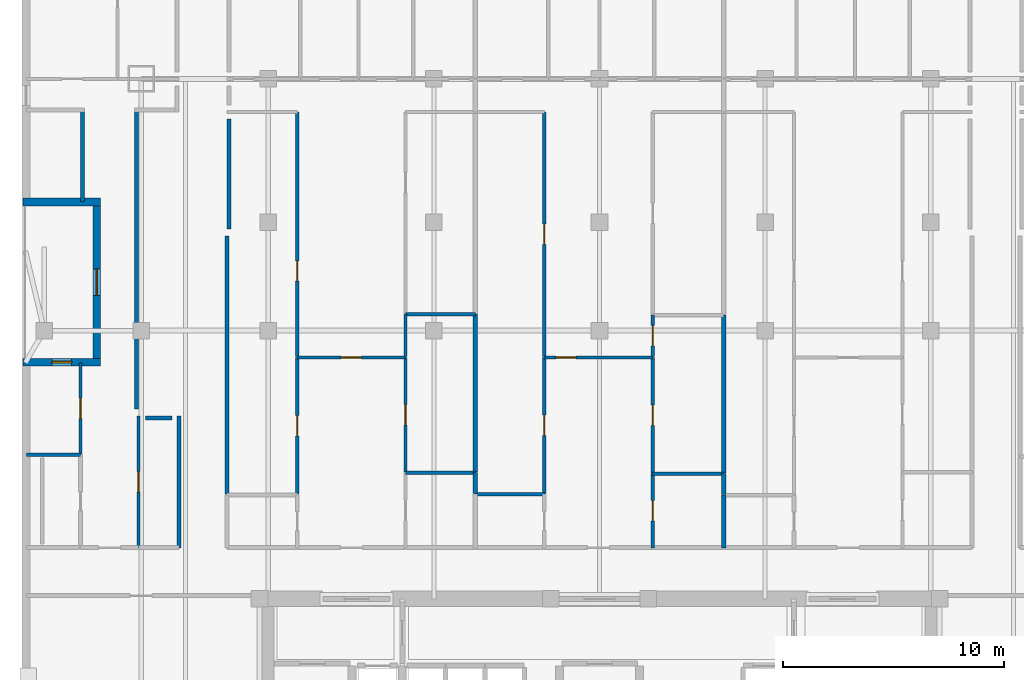
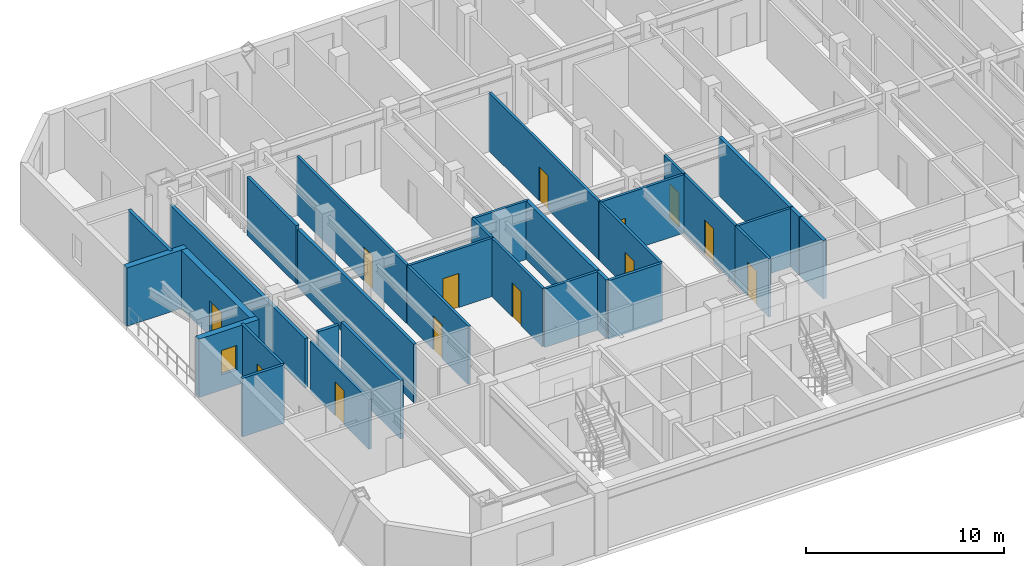
# One storey, part 4 of 11: 32 walls, 13 doors, 1 window, 14 openings.
"""IFC4 building model written with IfcOpenShell, lengths in metres."""

from ifc_helpers import new_model, si_unit, direction, frame, frame_2d, origin, place, context, subcontext, project, spatial, rectangle, extrude, material, layer, layer_set, type_object, element, fill, save


model = new_model("IFC4")

# Units and contexts
model_context = context("Model", 3, precision=1e-05, world=origin(), true_north=direction((0.0, 1.0)))
body_context = subcontext(model_context, "Body", "Model", "MODEL_VIEW")
ifc_project = project(units=[si_unit("LENGTHUNIT", "METRE"), si_unit("AREAUNIT", "SQUARE_METRE"), si_unit("VOLUMEUNIT", "CUBIC_METRE"), si_unit("PLANEANGLEUNIT", "RADIAN"), si_unit("MASSUNIT", "GRAM", prefix="KILO")], contexts=[model_context])

# Site, building, storey
site_placement = place(None, origin())
site = spatial("IfcSite", under=ifc_project, at=site_placement, CompositionType="ELEMENT")
building_placement = place(site_placement, origin())
building = spatial("IfcBuilding", under=site, at=building_placement, Name="Ventersveld Concourse Tower", CompositionType="ELEMENT")
storey_placement = place(building_placement, frame((0.0, 0.0, 111.85009765625)))
storey = spatial("IfcBuildingStorey", under=building, at=storey_placement, Name="L27", CompositionType="ELEMENT", Elevation=111.85009765625)

# Walls
ifc_material_1 = material(Name="Fire-rated autoclaved aerated masonry blockwork", Category="masonry")
ifc_layer_1 = layer(ifc_material_1, 0.179931640625)
ifc_layer_set_1 = layer_set([ifc_layer_1], Name="Fire-rated autoclaved aerated masonry blockwork")
wall_type_1 = type_object("IfcWallType", Name="WL-CORR-180", PredefinedType="PARTITIONING", material=ifc_layer_set_1)
wall_1_placement = place(storey_placement, frame((9.7099609375, 13.764892578125, 0.0), z_axis=(0.0, 0.0, 1.0), x_axis=(0.0, 1.0, 0.0)))
element("IfcWall", 1, at=wall_1_placement, inside=storey, type_object=wall_type_1, Name="L27 Interior Partition SP-L27-COR-SP-L27-27NW-KIT", PredefinedType="PARTITIONING", context=body_context, shape_type="SweptSolid", body=[
    extrude(rectangle(XDim=5.974365234375, YDim=0.179931640625, at=frame_2d((2.9873046875, 0.0))), origin(), (0.0, 0.0, 1.0), 3.599853515625),
])
wall_2_placement = place(storey_placement, frame((11.889892578125, 16.1953125, 0.0), z_axis=(0.0, 0.0, 1.0), x_axis=(0.0, 1.0, 0.0)))
element("IfcWall", 2, at=wall_2_placement, inside=storey, type_object=wall_type_1, Name="L27 Interior Partition SP-L27-COR-SP-L27-27N1-OFFL0", PredefinedType="PARTITIONING", context=body_context, shape_type="SweptSolid", body=[
    extrude(rectangle(XDim=11.69970703125, YDim=0.179931640625, at=frame_2d((5.849853515625, 0.0))), origin(), (0.0, 0.0, 1.0), 3.599853515625),
])
wall_3_placement = place(storey_placement, frame((5.334228515625, 29.4599609375, 0.0), z_axis=(0.0, 0.0, 1.0), x_axis=(0.0, 1.0, 0.0)))
element("IfcWall", 3, at=wall_3_placement, inside=storey, type_object=wall_type_1, Name="L27 Room Enclosure Wall SP-L27-27NW-LIV", PredefinedType="PARTITIONING", context=body_context, shape_type="SweptSolid", body=[
    extrude(rectangle(XDim=4.22509765625, YDim=0.179931640625, at=frame_2d((2.112548828125, 0.0))), origin(), (0.0, 0.0, 1.0), 3.599853515625),
])
wall_4_placement = place(storey_placement, frame((7.7802734375, 33.68505859375, 0.0), z_axis=(0.0, 0.0, 1.0), x_axis=(0.0, -1.0, 0.0)))
element("IfcWall", 4, at=wall_4_placement, inside=storey, type_object=wall_type_1, Name="L27 Room Enclosure Wall SP-L27-27NW-LIV", PredefinedType="PARTITIONING", context=body_context, shape_type="SweptSolid", body=[
    extrude(rectangle(XDim=13.630859375, YDim=0.179931640625, at=frame_2d((6.8154296875, 0.0))), origin(), (0.0, 0.0, 1.0), 3.055419921875),
])
wall_5_placement = place(storey_placement, frame((8.1953125, 19.644287109375, 0.0), z_axis=(0.0, 0.0, 1.0), x_axis=(1.0, 0.0, 0.0)))
element("IfcWall", 5, at=wall_5_placement, inside=storey, type_object=wall_type_1, Name="L27 Room Enclosure Wall SP-L27-27NW-KIT", PredefinedType="PARTITIONING", context=body_context, shape_type="SweptSolid", body=[
    extrude(rectangle(XDim=1.189697265625, YDim=0.179931640625, at=frame_2d((0.5947265625, 0.0))), origin(), (0.0, 0.0, 1.0), 3.599853515625),
])
wall_6_placement = place(storey_placement, frame((11.97998046875, 28.2099609375, 0.0), z_axis=(0.0, 0.0, 1.0), x_axis=(0.0, 1.0, 0.0)))
element("IfcWall", 6, at=wall_6_placement, inside=storey, type_object=wall_type_1, Name="L27 Room Enclosure Wall SP-L27-27N1-OFFL0", PredefinedType="PARTITIONING", context=body_context, shape_type="SweptSolid", body=[
    extrude(rectangle(XDim=4.965087890625, YDim=0.179931640625, at=frame_2d((2.482421875, 0.0))), origin(), (0.0, 0.0, 1.0), 3.599853515625),
])
ifc_layer_2 = layer(ifc_material_1, 0.199951171875)
ifc_layer_set_2 = layer_set([ifc_layer_2], Name="Fire-rated autoclaved aerated masonry blockwork")
wall_type_2 = type_object("IfcWallType", Name="WL-DEMISE-200", PredefinedType="PARTITIONING", material=ifc_layer_set_2)
wall_7_placement = place(storey_placement, frame((23.1298828125, 16.229736328125, 0.0), z_axis=(0.0, 0.0, 1.0), x_axis=(0.0, 1.0, 0.0)))
element("IfcWall", 7, at=wall_7_placement, inside=storey, type_object=wall_type_2, Name="L27 Interior Partition SP-L27-27N1-KIT-SP-L27-27N2-MEDL0", PredefinedType="PARTITIONING", context=body_context, shape_type="SweptSolid", body=[
    extrude(rectangle(XDim=0.940185546875, YDim=0.199951171875, at=frame_2d((0.47021484375, 0.0))), origin(), (0.0, 0.0, 1.0), 3.599853515625),
])
wall_8_placement = place(storey_placement, frame((23.1298828125, 17.19970703125, 0.0), z_axis=(0.0, 0.0, 1.0), x_axis=(0.0, 1.0, 0.0)))
element("IfcWall", 8, at=wall_8_placement, inside=storey, type_object=wall_type_2, Name="L27 Interior Partition SP-L27-27N1-DENR-SP-L27-27N2-MEDL0", PredefinedType="PARTITIONING", context=body_context, shape_type="SweptSolid", body=[
    extrude(rectangle(XDim=7.1552734375, YDim=0.199951171875, at=frame_2d((3.57763671875, 0.0))), origin(), (0.0, 0.0, 1.0), 3.599853515625),
])
wall_9_placement = place(storey_placement, frame((34.3701171875, 13.764892578125, 0.0), z_axis=(0.0, 0.0, 1.0), x_axis=(0.0, 1.0, 0.0)))
element("IfcWall", 9, at=wall_9_placement, inside=storey, type_object=wall_type_2, Name="L27 Interior Partition SP-L27-27N2-KIT-SP-L27-27N3-BATH", PredefinedType="PARTITIONING", context=body_context, shape_type="SweptSolid", body=[
    extrude(rectangle(XDim=2.38330078125, YDim=0.199951171875, at=frame_2d((1.191650390625, 0.0))), origin(), (0.0, 0.0, 1.0), 3.599853515625),
])
wall_10_placement = place(storey_placement, frame((34.3701171875, 16.17822265625, 0.0), z_axis=(0.0, 0.0, 1.0), x_axis=(0.0, 1.0, 0.0)))
element("IfcWall", 10, at=wall_10_placement, inside=storey, type_object=wall_type_2, Name="L27 Interior Partition SP-L27-27N2-KIT-SP-L27-27N3-DENL", PredefinedType="PARTITIONING", context=body_context, shape_type="SweptSolid", body=[
    extrude(rectangle(XDim=0.94287109375, YDim=0.199951171875, at=frame_2d((0.471435546875, 0.0))), origin(), (0.0, 0.0, 1.0), 3.599853515625),
])
wall_11_placement = place(storey_placement, frame((34.3701171875, 17.15087890625, 0.0), z_axis=(0.0, 0.0, 1.0), x_axis=(0.0, 1.0, 0.0)))
element("IfcWall", 11, at=wall_11_placement, inside=storey, type_object=wall_type_2, Name="L27 Interior Partition SP-L27-27N2-DENR-SP-L27-27N3-DENL", PredefinedType="PARTITIONING", context=body_context, shape_type="SweptSolid", body=[
    extrude(rectangle(XDim=7.1552734375, YDim=0.199951171875, at=frame_2d((3.57763671875, 0.0))), origin(), (0.0, 0.0, 1.0), 3.599853515625),
])

# Wall, opening, door
ifc_material_2 = material(Name="Autoclaved aerated masonry blockwork", Category="masonry")
ifc_layer_3 = layer(ifc_material_2, 0.14990234375)
ifc_layer_set_3 = layer_set([ifc_layer_3], Name="Autoclaved aerated masonry blockwork")
wall_type_3 = type_object("IfcWallType", Name="WL-INT-150", PredefinedType="PARTITIONING", material=ifc_layer_set_3)
wall_12_placement = place(storey_placement, frame((5.244384765625, 18.0234375, 0.0), z_axis=(0.0, 0.0, 1.0), x_axis=(0.0, 1.0, 0.0)))
wall_12 = element("IfcWall", 12, at=wall_12_placement, inside=storey, type_object=wall_type_3, Name="L27 Interior Partition SP-L27-27NW-LIV-SP-L27-27NW-OFFL0", PredefinedType="PARTITIONING", context=body_context, shape_type="SweptSolid", body=[
    extrude(rectangle(XDim=4.116455078125, YDim=0.14990234375, at=frame_2d((2.05810546875, 0.0))), origin(), (0.0, 0.0, 1.0), 3.599853515625),
])
opening_1_placement = place(wall_12_placement, frame((1.598388671875, 0.0, 0.0)))
opening_1 = element("IfcOpeningElement", 13, at=opening_1_placement, cuts=wall_12, Name="Opening ID1", PredefinedType="OPENING", context=body_context, shape_type="SweptSolid", body=[
    extrude(rectangle(XDim=0.919921875, YDim=2.10009765625, at=frame_2d((0.4599609375, 1.050048828125))), frame((0.0, 0.0849609375, 0.0), z_axis=(0.0, -1.0, 0.0), x_axis=(1.0, 0.0, 0.0)), (0.0, 0.0, 1.0), 0.169921875),
])
ifc_material_3 = material(Name="Solid-core hardwood veneer timber", Category="wood")
door_type_1 = type_object("IfcDoorType", Name="DR-ROOM-092", OperationType="NOTDEFINED", PredefinedType="DOOR", material=ifc_material_3)
door_1_placement = place(opening_1_placement, origin())
door_1 = element("IfcDoor", 14, at=door_1_placement, inside=storey, type_object=door_type_1, Name="L27 Interior Door SP-L27-27NW-LIV to SP-L27-27NW-OFFL0 (D-L27-1328)", OperationType="SINGLE_SWING_RIGHT", OverallHeight=2.10009765625, OverallWidth=0.919921875, PredefinedType="DOOR", context=body_context, shape_type="SweptSolid", body=[
    extrude(rectangle(XDim=0.919921875, YDim=2.10009765625, at=frame_2d((0.4599609375, 1.050048828125))), frame((0.0, 0.02490234375, 0.0), z_axis=(0.0, -1.0, 0.0), x_axis=(1.0, 0.0, 0.0)), (0.0, 0.0, 1.0), 0.050048828125),
])
fill(opening_1, door_1)

wall_13_placement = place(storey_placement, frame((7.870361328125, 13.764892578125, 0.0), z_axis=(0.0, 0.0, 1.0), x_axis=(0.0, 1.0, 0.0)))
wall_13 = element("IfcWall", 15, at=wall_13_placement, inside=storey, type_object=wall_type_3, Name="L27 Interior Partition SP-L27-27NW-LIV-SP-L27-27NW-KIT", PredefinedType="PARTITIONING", context=body_context, shape_type="SweptSolid", body=[
    extrude(rectangle(XDim=5.974365234375, YDim=0.14990234375, at=frame_2d((2.9873046875, 0.0))), origin(), (0.0, 0.0, 1.0), 3.055419921875),
])
opening_2_placement = place(wall_13_placement, frame((2.527099609375, 0.0, 0.0)))
opening_2 = element("IfcOpeningElement", 16, at=opening_2_placement, cuts=wall_13, Name="Opening ID1", PredefinedType="OPENING", context=body_context, shape_type="SweptSolid", body=[
    extrude(rectangle(XDim=0.919921875, YDim=2.10009765625, at=frame_2d((0.4599609375, 1.050048828125))), frame((0.0, 0.0849609375, 0.0), z_axis=(0.0, -1.0, 0.0), x_axis=(1.0, 0.0, 0.0)), (0.0, 0.0, 1.0), 0.169921875),
])
door_2_placement = place(opening_2_placement, origin())
door_2 = element("IfcDoor", 17, at=door_2_placement, inside=storey, type_object=door_type_1, Name="L27 Interior Door SP-L27-27NW-LIV to SP-L27-27NW-KIT (D-L27-1329)", OperationType="SINGLE_SWING_LEFT", OverallHeight=2.10009765625, OverallWidth=0.919921875, PredefinedType="DOOR", context=body_context, shape_type="SweptSolid", body=[
    extrude(rectangle(XDim=0.919921875, YDim=2.10009765625, at=frame_2d((0.4599609375, 1.050048828125))), frame((0.0, 0.02490234375, 0.0), z_axis=(0.0, -1.0, 0.0), x_axis=(1.0, 0.0, 0.0)), (0.0, 0.0, 1.0), 0.050048828125),
])
fill(opening_2, door_2)

wall_14_placement = place(storey_placement, frame((15.05126953125, 22.384521484375, 0.0), z_axis=(0.0, 0.0, 1.0), x_axis=(1.0, 0.0, 0.0)))
wall_14 = element("IfcWall", 18, at=wall_14_placement, inside=storey, type_object=wall_type_3, Name="L27 Interior Partition SP-L27-27N1-FOY-SP-L27-27N1-LIV", PredefinedType="PARTITIONING", context=body_context, shape_type="SweptSolid", body=[
    extrude(rectangle(XDim=4.91748046875, YDim=0.14990234375, at=frame_2d((2.458740234375, 0.0))), origin(), (0.0, 0.0, 1.0), 3.599853515625),
])
opening_3_placement = place(wall_14_placement, frame((1.998779296875, 0.0, 0.0)))
opening_3 = element("IfcOpeningElement", 19, at=opening_3_placement, cuts=wall_14, Name="Opening ID1", PredefinedType="OPENING", context=body_context, shape_type="SweptSolid", body=[
    extrude(rectangle(XDim=0.919921875, YDim=2.10009765625, at=frame_2d((0.4599609375, 1.050048828125))), frame((0.0, 0.0849609375, 0.0), z_axis=(0.0, -1.0, 0.0), x_axis=(1.0, 0.0, 0.0)), (0.0, 0.0, 1.0), 0.169921875),
])
door_3_placement = place(opening_3_placement, origin())
door_3 = element("IfcDoor", 20, at=door_3_placement, inside=storey, type_object=door_type_1, Name="L27 Interior Door SP-L27-27N1-FOY to SP-L27-27N1-LIV (D-L27-1337)", OperationType="SINGLE_SWING_LEFT", OverallHeight=2.10009765625, OverallWidth=0.919921875, PredefinedType="DOOR", context=body_context, shape_type="SweptSolid", body=[
    extrude(rectangle(XDim=0.919921875, YDim=2.10009765625, at=frame_2d((0.4599609375, 1.050048828125))), frame((0.0, 0.02490234375, 0.0), z_axis=(0.0, -1.0, 0.0), x_axis=(1.0, 0.0, 0.0)), (0.0, 0.0, 1.0), 0.050048828125),
])
fill(opening_3, door_3)

wall_15_placement = place(storey_placement, frame((15.05615234375, 16.1953125, 0.0), z_axis=(0.0, 0.0, 1.0), x_axis=(0.0, 1.0, 0.0)))
wall_15 = element("IfcWall", 21, at=wall_15_placement, inside=storey, type_object=wall_type_3, Name="L27 Interior Partition SP-L27-27N1-FOY-SP-L27-27N1-OFFL0", PredefinedType="PARTITIONING", context=body_context, shape_type="SweptSolid", body=[
    extrude(rectangle(XDim=6.194091796875, YDim=0.14990234375, at=frame_2d((3.09716796875, 0.0))), origin(), (0.0, 0.0, 1.0), 3.599853515625),
])
opening_4_placement = place(wall_15_placement, frame((2.63720703125, 0.0, 0.0)))
opening_4 = element("IfcOpeningElement", 22, at=opening_4_placement, cuts=wall_15, Name="Opening ID1", PredefinedType="OPENING", context=body_context, shape_type="SweptSolid", body=[
    extrude(rectangle(XDim=0.919921875, YDim=2.10009765625, at=frame_2d((0.4599609375, 1.050048828125))), frame((0.0, 0.0849609375, 0.0), z_axis=(0.0, -1.0, 0.0), x_axis=(1.0, 0.0, 0.0)), (0.0, 0.0, 1.0), 0.169921875),
])
door_4_placement = place(opening_4_placement, origin())
door_4 = element("IfcDoor", 23, at=door_4_placement, inside=storey, type_object=door_type_1, Name="L27 Interior Door SP-L27-27N1-FOY to SP-L27-27N1-OFFL0 (D-L27-1339)", OperationType="SINGLE_SWING_LEFT", OverallHeight=2.10009765625, OverallWidth=0.919921875, PredefinedType="DOOR", context=body_context, shape_type="SweptSolid", body=[
    extrude(rectangle(XDim=0.919921875, YDim=2.10009765625, at=frame_2d((0.4599609375, 1.050048828125))), frame((0.0, 0.02490234375, 0.0), z_axis=(0.0, -1.0, 0.0), x_axis=(1.0, 0.0, 0.0)), (0.0, 0.0, 1.0), 0.050048828125),
])
fill(opening_4, door_4)

wall_16_placement = place(storey_placement, frame((19.9638671875, 17.19970703125, 0.0), z_axis=(0.0, 0.0, 1.0), x_axis=(0.0, 1.0, 0.0)))
wall_16 = element("IfcWall", 24, at=wall_16_placement, inside=storey, type_object=wall_type_3, Name="L27 Interior Partition SP-L27-27N1-FOY-SP-L27-27N1-DENR", PredefinedType="PARTITIONING", context=body_context, shape_type="SweptSolid", body=[
    extrude(rectangle(XDim=5.189697265625, YDim=0.14990234375, at=frame_2d((2.5947265625, 0.0))), origin(), (0.0, 0.0, 1.0), 3.599853515625),
])
opening_5_placement = place(wall_16_placement, frame((2.135009765625, 0.0, 0.0)))
opening_5 = element("IfcOpeningElement", 25, at=opening_5_placement, cuts=wall_16, Name="Opening ID1", PredefinedType="OPENING", context=body_context, shape_type="SweptSolid", body=[
    extrude(rectangle(XDim=0.919921875, YDim=2.10009765625, at=frame_2d((0.4599609375, 1.050048828125))), frame((0.0, 0.0849609375, 0.0), z_axis=(0.0, -1.0, 0.0), x_axis=(1.0, 0.0, 0.0)), (0.0, 0.0, 1.0), 0.169921875),
])
door_5_placement = place(opening_5_placement, origin())
door_5 = element("IfcDoor", 26, at=door_5_placement, inside=storey, type_object=door_type_1, Name="L27 Interior Door SP-L27-27N1-FOY to SP-L27-27N1-DENR (D-L27-1341)", OperationType="SINGLE_SWING_LEFT", OverallHeight=2.10009765625, OverallWidth=0.919921875, PredefinedType="DOOR", context=body_context, shape_type="SweptSolid", body=[
    extrude(rectangle(XDim=0.919921875, YDim=2.10009765625, at=frame_2d((0.4599609375, 1.050048828125))), frame((0.0, 0.02490234375, 0.0), z_axis=(0.0, -1.0, 0.0), x_axis=(1.0, 0.0, 0.0)), (0.0, 0.0, 1.0), 0.050048828125),
])
fill(opening_5, door_5)

wall_17_placement = place(storey_placement, frame((15.05615234375, 22.41943359375, 0.0), z_axis=(0.0, 0.0, 1.0), x_axis=(0.0, 1.0, 0.0)))
wall_17 = element("IfcWall", 27, at=wall_17_placement, inside=storey, type_object=wall_type_3, Name="L27 Interior Partition SP-L27-27N1-LIV-SP-L27-27N1-OFFL0", PredefinedType="PARTITIONING", context=body_context, shape_type="SweptSolid", body=[
    extrude(rectangle(XDim=11.08544921875, YDim=0.14990234375, at=frame_2d((5.542724609375, 0.0))), origin(), (0.0, 0.0, 1.0), 3.599853515625),
])
opening_6_placement = place(wall_17_placement, frame((3.419921875, 0.0, 0.0)))
opening_6 = element("IfcOpeningElement", 28, at=opening_6_placement, cuts=wall_17, Name="Opening ID1", PredefinedType="OPENING", context=body_context, shape_type="SweptSolid", body=[
    extrude(rectangle(XDim=0.919921875, YDim=2.10009765625, at=frame_2d((0.4599609375, 1.050048828125))), frame((0.0, 0.0849609375, 0.0), z_axis=(0.0, -1.0, 0.0), x_axis=(1.0, 0.0, 0.0)), (0.0, 0.0, 1.0), 0.169921875),
])
door_6_placement = place(opening_6_placement, origin())
door_6 = element("IfcDoor", 29, at=door_6_placement, inside=storey, type_object=door_type_1, Name="L27 Interior Door SP-L27-27N1-LIV to SP-L27-27N1-OFFL0 (D-L27-1342)", OperationType="SINGLE_SWING_RIGHT", OverallHeight=2.10009765625, OverallWidth=0.919921875, PredefinedType="DOOR", context=body_context, shape_type="SweptSolid", body=[
    extrude(rectangle(XDim=0.919921875, YDim=2.10009765625, at=frame_2d((0.4599609375, 1.050048828125))), frame((0.0, 0.02490234375, 0.0), z_axis=(0.0, -1.0, 0.0), x_axis=(1.0, 0.0, 0.0)), (0.0, 0.0, 1.0), 0.050048828125),
])
fill(opening_6, door_6)

# Walls
wall_18_placement = place(storey_placement, frame((19.9638671875, 22.41943359375, 0.0), z_axis=(0.0, 0.0, 1.0), x_axis=(0.0, 1.0, 0.0)))
element("IfcWall", 30, at=wall_18_placement, inside=storey, type_object=wall_type_3, Name="L27 Interior Partition SP-L27-27N1-LIV-SP-L27-27N1-DENR", PredefinedType="PARTITIONING", context=body_context, shape_type="SweptSolid", body=[
    extrude(rectangle(XDim=1.935546875, YDim=0.14990234375, at=frame_2d((0.9677734375, 0.0))), origin(), (0.0, 0.0, 1.0), 3.599853515625),
])
for number, where, z_axis, x_axis, name in (
    (31, (19.958740234375, 17.164794921875, 0.0), (0.0, 0.0, 1.0), (1.0, 0.0, 0.0), "L27 Interior Partition SP-L27-27N1-KIT-SP-L27-27N1-DENR"),
    (32, (19.958740234375, 24.35009765625, 0.0), (0.0, 0.0, 1.0), (1.0, 0.0, 0.0), "L27 Interior Partition SP-L27-27N1-DENR-SP-L27-27N1-DENS"),
):
    element("IfcWall", number, at=place(storey_placement, frame(where, z_axis=z_axis, x_axis=x_axis)), inside=storey, type_object=wall_type_3, Name=name, PredefinedType="PARTITIONING", context=body_context, shape_type="SweptSolid", body=[
        extrude(rectangle(XDim=3.17626953125, YDim=0.14990234375, at=frame_2d((1.588134765625, 0.0))), origin(), (0.0, 0.0, 1.0), 3.599853515625),
    ])

# Wall, opening, door
wall_19_placement = place(storey_placement, frame((26.2451171875, 22.384521484375, 0.0), z_axis=(0.0, 0.0, 1.0), x_axis=(1.0, 0.0, 0.0)))
wall_19 = element("IfcWall", 33, at=wall_19_placement, inside=storey, type_object=wall_type_3, Name="L27 Interior Partition SP-L27-27N2-FOY-SP-L27-27N2-LIV", PredefinedType="PARTITIONING", context=body_context, shape_type="SweptSolid", body=[
    extrude(rectangle(XDim=4.917724609375, YDim=0.14990234375, at=frame_2d((2.458984375, 0.0))), origin(), (0.0, 0.0, 1.0), 3.599853515625),
])
opening_7_placement = place(wall_19_placement, frame((0.5234375, 0.0, 0.0)))
opening_7 = element("IfcOpeningElement", 34, at=opening_7_placement, cuts=wall_19, Name="Opening ID1", PredefinedType="OPENING", context=body_context, shape_type="SweptSolid", body=[
    extrude(rectangle(XDim=0.919921875, YDim=2.10009765625, at=frame_2d((0.4599609375, 1.050048828125))), frame((0.0, 0.0849609375, 0.0), z_axis=(0.0, -1.0, 0.0), x_axis=(1.0, 0.0, 0.0)), (0.0, 0.0, 1.0), 0.169921875),
])
door_7_placement = place(opening_7_placement, origin())
door_7 = element("IfcDoor", 35, at=door_7_placement, inside=storey, type_object=door_type_1, Name="L27 Interior Door SP-L27-27N2-FOY to SP-L27-27N2-LIV (D-L27-1349)", OperationType="SINGLE_SWING_LEFT", OverallHeight=2.10009765625, OverallWidth=0.919921875, PredefinedType="DOOR", context=body_context, shape_type="SweptSolid", body=[
    extrude(rectangle(XDim=0.919921875, YDim=2.10009765625, at=frame_2d((0.4599609375, 1.050048828125))), frame((0.0, 0.02490234375, 0.0), z_axis=(0.0, -1.0, 0.0), x_axis=(1.0, 0.0, 0.0)), (0.0, 0.0, 1.0), 0.050048828125),
])
fill(opening_7, door_7)

wall_20_placement = place(storey_placement, frame((26.250244140625, 16.229736328125, 0.0), z_axis=(0.0, 0.0, 1.0), x_axis=(0.0, 1.0, 0.0)))
wall_20 = element("IfcWall", 36, at=wall_20_placement, inside=storey, type_object=wall_type_3, Name="L27 Interior Partition SP-L27-27N2-FOY-SP-L27-27N2-MEDL0", PredefinedType="PARTITIONING", context=body_context, shape_type="SweptSolid", body=[
    extrude(rectangle(XDim=6.15966796875, YDim=0.14990234375, at=frame_2d((3.079833984375, 0.0))), origin(), (0.0, 0.0, 1.0), 3.599853515625),
])
opening_8_placement = place(wall_20_placement, frame((2.619873046875, 0.0, 0.0)))
opening_8 = element("IfcOpeningElement", 37, at=opening_8_placement, cuts=wall_20, Name="Opening ID1", PredefinedType="OPENING", context=body_context, shape_type="SweptSolid", body=[
    extrude(rectangle(XDim=0.919921875, YDim=2.10009765625, at=frame_2d((0.4599609375, 1.050048828125))), frame((0.0, 0.0849609375, 0.0), z_axis=(0.0, -1.0, 0.0), x_axis=(1.0, 0.0, 0.0)), (0.0, 0.0, 1.0), 0.169921875),
])
door_8_placement = place(opening_8_placement, origin())
door_8 = element("IfcDoor", 38, at=door_8_placement, inside=storey, type_object=door_type_1, Name="L27 Interior Door SP-L27-27N2-FOY to SP-L27-27N2-MEDL0 (D-L27-1351)", OperationType="SINGLE_SWING_LEFT", OverallHeight=2.10009765625, OverallWidth=0.919921875, PredefinedType="DOOR", context=body_context, shape_type="SweptSolid", body=[
    extrude(rectangle(XDim=0.919921875, YDim=2.10009765625, at=frame_2d((0.4599609375, 1.050048828125))), frame((0.0, 0.02490234375, 0.0), z_axis=(0.0, -1.0, 0.0), x_axis=(1.0, 0.0, 0.0)), (0.0, 0.0, 1.0), 0.050048828125),
])
fill(opening_8, door_8)

wall_21_placement = place(storey_placement, frame((31.15771484375, 13.764892578125, 0.0), z_axis=(0.0, 0.0, 1.0), x_axis=(0.0, 1.0, 0.0)))
wall_21 = element("IfcWall", 39, at=wall_21_placement, inside=storey, type_object=wall_type_3, Name="L27 Interior Partition SP-L27-27N2-FOY-SP-L27-27N2-KIT", PredefinedType="PARTITIONING", context=body_context, shape_type="SweptSolid", body=[
    extrude(rectangle(XDim=3.356201171875, YDim=0.14990234375, at=frame_2d((1.67822265625, 0.0))), origin(), (0.0, 0.0, 1.0), 3.599853515625),
])
opening_9_placement = place(wall_21_placement, frame((1.218017578125, 0.0, 0.0)))
opening_9 = element("IfcOpeningElement", 40, at=opening_9_placement, cuts=wall_21, Name="Opening ID1", PredefinedType="OPENING", context=body_context, shape_type="SweptSolid", body=[
    extrude(rectangle(XDim=0.919921875, YDim=2.10009765625, at=frame_2d((0.4599609375, 1.050048828125))), frame((0.0, 0.0849609375, 0.0), z_axis=(0.0, -1.0, 0.0), x_axis=(1.0, 0.0, 0.0)), (0.0, 0.0, 1.0), 0.169921875),
])
door_9_placement = place(opening_9_placement, origin())
door_9 = element("IfcDoor", 41, at=door_9_placement, inside=storey, type_object=door_type_1, Name="L27 Interior Door SP-L27-27N2-FOY to SP-L27-27N2-KIT (D-L27-1352)", OperationType="SINGLE_SWING_RIGHT", OverallHeight=2.10009765625, OverallWidth=0.919921875, PredefinedType="DOOR", context=body_context, shape_type="SweptSolid", body=[
    extrude(rectangle(XDim=0.919921875, YDim=2.10009765625, at=frame_2d((0.4599609375, 1.050048828125))), frame((0.0, 0.02490234375, 0.0), z_axis=(0.0, -1.0, 0.0), x_axis=(1.0, 0.0, 0.0)), (0.0, 0.0, 1.0), 0.050048828125),
])
fill(opening_9, door_9)

wall_22_placement = place(storey_placement, frame((31.15771484375, 17.15087890625, 0.0), z_axis=(0.0, 0.0, 1.0), x_axis=(0.0, 1.0, 0.0)))
wall_22 = element("IfcWall", 42, at=wall_22_placement, inside=storey, type_object=wall_type_3, Name="L27 Interior Partition SP-L27-27N2-FOY-SP-L27-27N2-DENR", PredefinedType="PARTITIONING", context=body_context, shape_type="SweptSolid", body=[
    extrude(rectangle(XDim=5.238525390625, YDim=0.14990234375, at=frame_2d((2.619140625, 0.0))), origin(), (0.0, 0.0, 1.0), 3.599853515625),
])
opening_10_placement = place(wall_22_placement, frame((2.1591796875, 0.0, 0.0)))
opening_10 = element("IfcOpeningElement", 43, at=opening_10_placement, cuts=wall_22, Name="Opening ID1", PredefinedType="OPENING", context=body_context, shape_type="SweptSolid", body=[
    extrude(rectangle(XDim=0.919921875, YDim=2.10009765625, at=frame_2d((0.4599609375, 1.050048828125))), frame((0.0, 0.0849609375, 0.0), z_axis=(0.0, -1.0, 0.0), x_axis=(1.0, 0.0, 0.0)), (0.0, 0.0, 1.0), 0.169921875),
])
door_10_placement = place(opening_10_placement, origin())
door_10 = element("IfcDoor", 44, at=door_10_placement, inside=storey, type_object=door_type_1, Name="L27 Interior Door SP-L27-27N2-FOY to SP-L27-27N2-DENR (D-L27-1353)", OperationType="SINGLE_SWING_LEFT", OverallHeight=2.10009765625, OverallWidth=0.919921875, PredefinedType="DOOR", context=body_context, shape_type="SweptSolid", body=[
    extrude(rectangle(XDim=0.919921875, YDim=2.10009765625, at=frame_2d((0.4599609375, 1.050048828125))), frame((0.0, 0.02490234375, 0.0), z_axis=(0.0, -1.0, 0.0), x_axis=(1.0, 0.0, 0.0)), (0.0, 0.0, 1.0), 0.050048828125),
])
fill(opening_10, door_10)

wall_23_placement = place(storey_placement, frame((26.250244140625, 22.41943359375, 0.0), z_axis=(0.0, 0.0, 1.0), x_axis=(0.0, 1.0, 0.0)))
wall_23 = element("IfcWall", 45, at=wall_23_placement, inside=storey, type_object=wall_type_3, Name="L27 Interior Partition SP-L27-27N2-LIV-SP-L27-27N2-MEDL0", PredefinedType="PARTITIONING", context=body_context, shape_type="SweptSolid", body=[
    extrude(rectangle(XDim=11.08544921875, YDim=0.14990234375, at=frame_2d((5.542724609375, 0.0))), origin(), (0.0, 0.0, 1.0), 3.599853515625),
])
opening_11_placement = place(wall_23_placement, frame((5.082763671875, 0.0, 0.0)))
opening_11 = element("IfcOpeningElement", 46, at=opening_11_placement, cuts=wall_23, Name="Opening ID1", PredefinedType="OPENING", context=body_context, shape_type="SweptSolid", body=[
    extrude(rectangle(XDim=0.919921875, YDim=2.10009765625, at=frame_2d((0.4599609375, 1.050048828125))), frame((0.0, 0.0849609375, 0.0), z_axis=(0.0, -1.0, 0.0), x_axis=(1.0, 0.0, 0.0)), (0.0, 0.0, 1.0), 0.169921875),
])
door_11_placement = place(opening_11_placement, origin())
door_11 = element("IfcDoor", 47, at=door_11_placement, inside=storey, type_object=door_type_1, Name="L27 Interior Door SP-L27-27N2-LIV to SP-L27-27N2-MEDL0 (D-L27-1354)", OperationType="SINGLE_SWING_RIGHT", OverallHeight=2.10009765625, OverallWidth=0.919921875, PredefinedType="DOOR", context=body_context, shape_type="SweptSolid", body=[
    extrude(rectangle(XDim=0.919921875, YDim=2.10009765625, at=frame_2d((0.4599609375, 1.050048828125))), frame((0.0, 0.02490234375, 0.0), z_axis=(0.0, -1.0, 0.0), x_axis=(1.0, 0.0, 0.0)), (0.0, 0.0, 1.0), 0.050048828125),
])
fill(opening_11, door_11)

wall_24_placement = place(storey_placement, frame((31.15771484375, 22.41943359375, 0.0), z_axis=(0.0, 0.0, 1.0), x_axis=(0.0, 1.0, 0.0)))
wall_24 = element("IfcWall", 48, at=wall_24_placement, inside=storey, type_object=wall_type_3, Name="L27 Interior Partition SP-L27-27N2-LIV-SP-L27-27N2-DENR", PredefinedType="PARTITIONING", context=body_context, shape_type="SweptSolid", body=[
    extrude(rectangle(XDim=1.88671875, YDim=0.14990234375, at=frame_2d((0.943359375, 0.0))), origin(), (0.0, 0.0, 1.0), 3.599853515625),
])
opening_12_placement = place(wall_24_placement, frame((0.4833984375, 0.0, 0.0)))
opening_12 = element("IfcOpeningElement", 49, at=opening_12_placement, cuts=wall_24, Name="Opening ID1", PredefinedType="OPENING", context=body_context, shape_type="SweptSolid", body=[
    extrude(rectangle(XDim=0.919921875, YDim=2.10009765625, at=frame_2d((0.4599609375, 1.050048828125))), frame((0.0, 0.0849609375, 0.0), z_axis=(0.0, -1.0, 0.0), x_axis=(1.0, 0.0, 0.0)), (0.0, 0.0, 1.0), 0.169921875),
])
door_12_placement = place(opening_12_placement, origin())
door_12 = element("IfcDoor", 50, at=door_12_placement, inside=storey, type_object=door_type_1, Name="L27 Interior Door SP-L27-27N2-LIV to SP-L27-27N2-DENR (D-L27-1355)", OperationType="SINGLE_SWING_LEFT", OverallHeight=2.10009765625, OverallWidth=0.919921875, PredefinedType="DOOR", context=body_context, shape_type="SweptSolid", body=[
    extrude(rectangle(XDim=0.919921875, YDim=2.10009765625, at=frame_2d((0.4599609375, 1.050048828125))), frame((0.0, 0.02490234375, 0.0), z_axis=(0.0, -1.0, 0.0), x_axis=(1.0, 0.0, 0.0)), (0.0, 0.0, 1.0), 0.050048828125),
])
fill(opening_12, door_12)

# Walls
wall_25_placement = place(storey_placement, frame((31.15283203125, 17.115966796875, 0.0), z_axis=(0.0, 0.0, 1.0), x_axis=(1.0, 0.0, 0.0)))
element("IfcWall", 51, at=wall_25_placement, inside=storey, type_object=wall_type_3, Name="L27 Interior Partition SP-L27-27N2-KIT-SP-L27-27N2-DENR", PredefinedType="PARTITIONING", context=body_context, shape_type="SweptSolid", body=[
    extrude(rectangle(XDim=3.22216796875, YDim=0.14990234375, at=frame_2d((1.611083984375, 0.0))), origin(), (0.0, 0.0, 1.0), 3.599853515625),
])
ifc_material_4 = material(Name="Precast concrete C45/55", Category="concrete")
ifc_layer_4 = layer(ifc_material_4, 0.35009765625)
ifc_layer_set_4 = layer_set([ifc_layer_4], Name="Precast concrete C45/55")
wall_type_4 = type_object("IfcWallType", Name="WL-PREC-350", PredefinedType="SOLIDWALL", material=ifc_layer_set_4)
wall_26_placement = place(storey_placement, frame((2.639892578125, 29.425048828125, 0.0), z_axis=(0.0, 0.0, 1.0), x_axis=(1.0, 0.0, 0.0)))
element("IfcWall", 52, at=wall_26_placement, inside=storey, type_object=wall_type_4, Name="L27 Highveld Precast Facade Wall E12", PredefinedType="SOLIDWALL", context=body_context, shape_type="SweptSolid", body=[
    extrude(rectangle(XDim=3.510009765625, YDim=0.35009765625, at=frame_2d((1.7548828125, 0.0))), origin(), (0.0, 0.0, 1.0), 3.599853515625),
])

# Wall, opening, door
wall_27_placement = place(storey_placement, frame((5.97509765625, 29.25, 0.0), z_axis=(0.0, 0.0, 1.0), x_axis=(0.0, -1.0, 0.0)))
wall_27 = element("IfcWall", 53, at=wall_27_placement, inside=storey, type_object=wall_type_4, Name="L27 Highveld Precast Facade Wall E13", PredefinedType="SOLIDWALL", context=body_context, shape_type="SweptSolid", body=[
    extrude(rectangle(XDim=6.89990234375, YDim=0.35009765625, at=frame_2d((3.449951171875, 0.0))), origin(), (0.0, 0.0, 1.0), 3.599853515625),
])
opening_13_placement = place(wall_27_placement, frame((2.85009765625, 0.0, 0.0)))
opening_13 = element("IfcOpeningElement", 54, at=opening_13_placement, cuts=wall_27, Name="Opening TD1", PredefinedType="OPENING", context=body_context, shape_type="SweptSolid", body=[
    extrude(rectangle(XDim=1.199951171875, YDim=2.199951171875, at=frame_2d((0.60009765625, 1.10009765625))), frame((0.0, 0.18505859375, 0.0), z_axis=(0.0, -1.0, 0.0), x_axis=(1.0, 0.0, 0.0)), (0.0, 0.0, 1.0), 0.3701171875),
])
ifc_material_5 = material(Name="Anodised aluminium EN AW-6063-T6", Category="aluminium")
door_type_2 = type_object("IfcDoorType", Name="DR-TERR-120", OperationType="NOTDEFINED", PredefinedType="DOOR", material=ifc_material_5)
door_13_placement = place(opening_13_placement, frame((1.199951171875, 0.0, 0.0), z_axis=(0.0, 0.0, 1.0), x_axis=(-1.0, 0.0, 0.0)))
door_13 = element("IfcDoor", 55, at=door_13_placement, inside=storey, type_object=door_type_2, Name="L27 Stepped Valley Terrace Door TD-L27-01", OperationType="SINGLE_SWING_RIGHT", OverallHeight=2.199951171875, OverallWidth=1.199951171875, PredefinedType="DOOR", context=body_context, shape_type="SweptSolid", body=[
    extrude(rectangle(XDim=1.199951171875, YDim=2.199951171875, at=frame_2d((0.60009765625, 1.10009765625))), frame((0.0, 0.02490234375, 0.0), z_axis=(0.0, -1.0, 0.0), x_axis=(1.0, 0.0, 0.0)), (0.0, 0.0, 1.0), 0.050048828125),
])
fill(opening_13, door_13)

# Wall, opening, window
wall_28_placement = place(storey_placement, frame((6.14990234375, 22.175048828125, 0.0), z_axis=(0.0, 0.0, 1.0), x_axis=(-1.0, 0.0, 0.0)))
wall_28 = element("IfcWall", 56, at=wall_28_placement, inside=storey, type_object=wall_type_4, Name="L27 Highveld Precast Facade Wall E14", PredefinedType="SOLIDWALL", context=body_context, shape_type="SweptSolid", body=[
    extrude(rectangle(XDim=3.510009765625, YDim=0.35009765625, at=frame_2d((1.7548828125, 0.0))), origin(), (0.0, 0.0, 1.0), 3.599853515625),
])
opening_14_placement = place(wall_28_placement, frame((1.304931640625, 0.0, 0.949951171875)))
opening_14 = element("IfcOpeningElement", 57, at=opening_14_placement, cuts=wall_28, Name="Opening W4", PredefinedType="OPENING", context=body_context, shape_type="SweptSolid", body=[
    extrude(rectangle(XDim=0.89990234375, YDim=1.5, at=frame_2d((0.449951171875, 0.75))), frame((0.0, 0.18505859375, 0.0), z_axis=(0.0, -1.0, 0.0), x_axis=(1.0, 0.0, 0.0)), (0.0, 0.0, 1.0), 0.3701171875),
])
ifc_material_6 = material(Name="Tempered acoustic Low-E IGU", Category="glass")
window_type = type_object("IfcWindowType", Name="WIN-090x150", PartitioningType="SINGLE_PANEL", PredefinedType="WINDOW", material=ifc_material_6)
window_placement = place(opening_14_placement, origin())
window = element("IfcWindow", 58, at=window_placement, inside=storey, type_object=window_type, Name="L27 Punched Low-E Window W-0322", OverallHeight=1.5, OverallWidth=0.89990234375, PartitioningType="SINGLE_PANEL", PredefinedType="WINDOW", context=body_context, shape_type="SweptSolid", body=[
    extrude(rectangle(XDim=0.89990234375, YDim=1.5, at=frame_2d((0.449951171875, 0.75))), frame((0.0, 0.030029296875, 0.0), z_axis=(0.0, -1.0, 0.0), x_axis=(1.0, 0.0, 0.0)), (0.0, 0.0, 1.0), 0.06005859375),
])
fill(opening_14, window)

# Walls
ifc_layer_5 = layer(ifc_material_2, 0.1650390625)
ifc_layer_set_5 = layer_set([ifc_layer_5], Name="Autoclaved aerated masonry blockwork")
wall_type_5 = type_object("IfcWallType", Name="WL-WET-165", PredefinedType="PLUMBINGWALL", material=ifc_layer_set_5)
wall_29_placement = place(storey_placement, frame((2.81005859375, 17.98828125, 0.0), z_axis=(0.0, 0.0, 1.0), x_axis=(1.0, 0.0, 0.0)))
element("IfcWall", 59, at=wall_29_placement, inside=storey, type_object=wall_type_5, Name="L27 Interior Partition SP-L27-27NW-BATH-SP-L27-27NW-OFFL0", PredefinedType="PLUMBINGWALL", context=body_context, shape_type="SweptSolid", body=[
    extrude(rectangle(XDim=2.439208984375, YDim=0.1650390625, at=frame_2d((1.2197265625, 0.0))), origin(), (0.0, 0.0, 1.0), 3.599853515625),
])
wall_30_placement = place(storey_placement, frame((23.125, 16.194580078125, 0.0), z_axis=(0.0, 0.0, 1.0), x_axis=(1.0, 0.0, 0.0)))
element("IfcWall", 60, at=wall_30_placement, inside=storey, type_object=wall_type_5, Name="L27 Interior Partition SP-L27-27N2-BATH-SP-L27-27N2-MEDL0", PredefinedType="PLUMBINGWALL", context=body_context, shape_type="SweptSolid", body=[
    extrude(rectangle(XDim=3.130126953125, YDim=0.1650390625, at=frame_2d((1.56494140625, 0.0))), origin(), (0.0, 0.0, 1.0), 3.599853515625),
])

save(model, "model.ifc")
